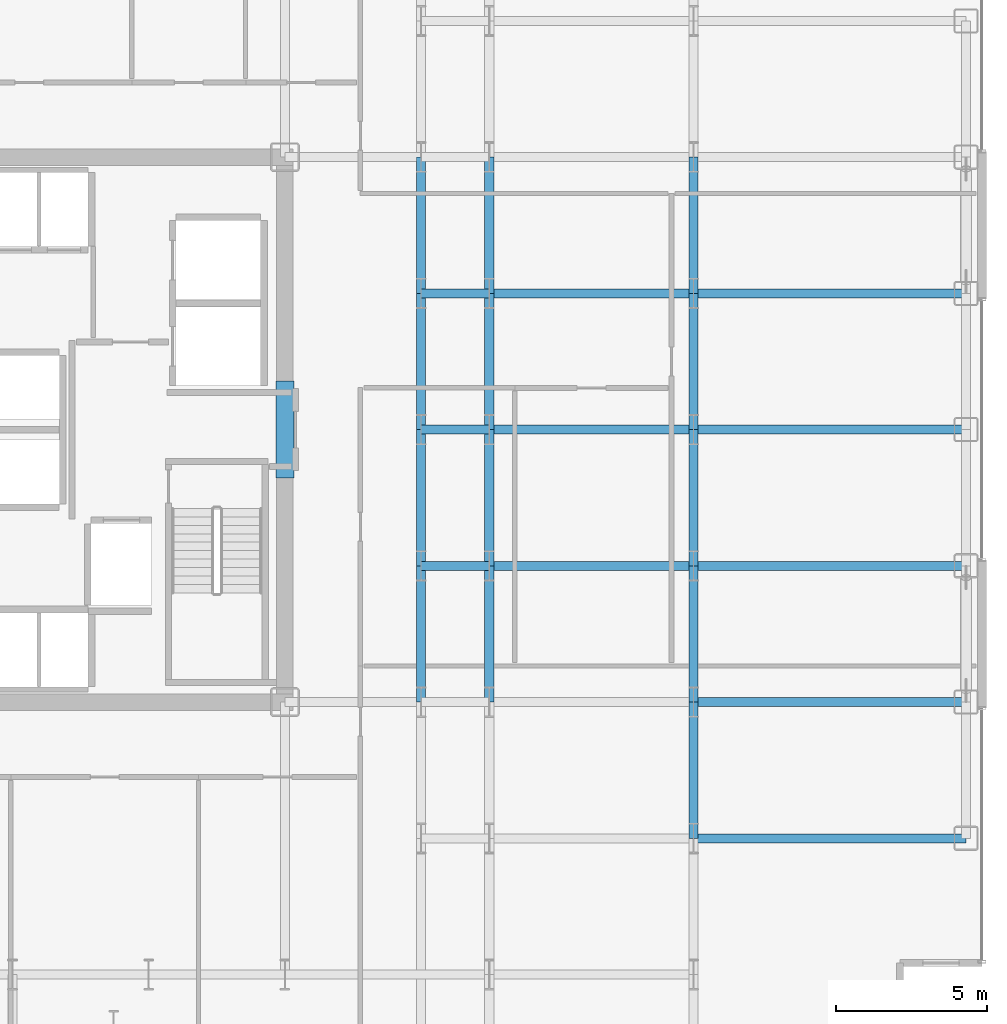
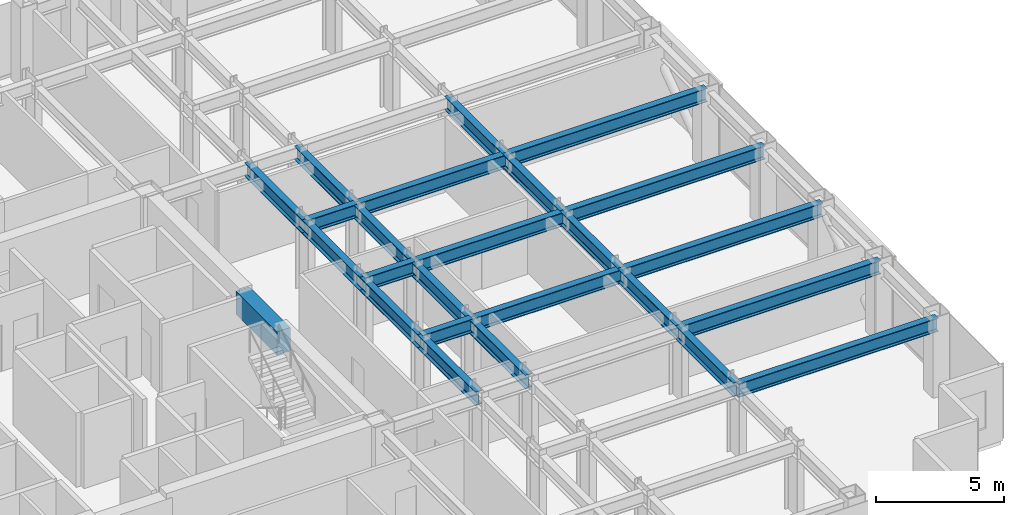
# One storey, part 10 of 29: 25 beams.
"""IFC4 building model written with IfcOpenShell, lengths in metres."""

from ifc_helpers import new_model, si_unit, direction, frame, origin, origin_2d, place, context, subcontext, project, spatial, rectangle, i_section, extrude, source, transform, mapped, material, material_profile, profile_set, type_object, element, save


model = new_model("IFC4")

# Units and contexts
model_context = context("Model", 3, precision=1e-05, world=origin(), true_north=direction((0.0, 1.0)))
body_context = subcontext(model_context, "Body", "Model", "MODEL_VIEW")
ifc_project = project(units=[si_unit("LENGTHUNIT", "METRE"), si_unit("AREAUNIT", "SQUARE_METRE"), si_unit("VOLUMEUNIT", "CUBIC_METRE"), si_unit("PLANEANGLEUNIT", "RADIAN"), si_unit("MASSUNIT", "GRAM", prefix="KILO")], contexts=[model_context])

# Site, building, storey
site_placement = place(None, origin())
site = spatial("IfcSite", under=ifc_project, at=site_placement, CompositionType="ELEMENT")
building_placement = place(site_placement, origin())
building = spatial("IfcBuilding", under=site, at=building_placement, Name="Nefas-Gora Pilgrimage Tower", CompositionType="ELEMENT")
storey_placement = place(building_placement, frame((0.0, 0.0, 113.60009765625)))
storey = spatial("IfcBuildingStorey", under=building, at=storey_placement, Name="L27", CompositionType="ELEMENT", Elevation=113.60009765625)

# Beams
ifc_material_1 = material(Name="Concrete C60/75", Category="concrete")
ifc_material_profile_1 = material_profile(ifc_material_1, rectangle(XDim=0.60009765625, YDim=1.10009765625, at=origin_2d()), Name="RC 600x1100")
ifc_profile_set_1 = profile_set([ifc_material_profile_1], Name="Concrete C60/75")
beam_type_1 = type_object("IfcBeamType", Name="BM-LIN-RC1100", PredefinedType="LINTEL", material=ifc_profile_set_1)
shared_shape_1 = source(origin(), body_context, "Body", "SweptSolid", [
    extrude(rectangle(XDim=0.60009765625, YDim=1.10009765625, at=origin_2d()), origin(), (0.0, 0.0, 1.0), 3.2001953125),
])
beam_placement = place(storey_placement, frame((11.25, -1.60009765625, 3.0), z_axis=(0.0, 1.0, 0.0), x_axis=(-1.0, 0.0, 0.0)))
element("IfcBeam", 1, at=beam_placement, inside=storey, type_object=beam_type_1, Name="L27 Core Coupling Lintel Beam E", PredefinedType="LINTEL", context=body_context, shape_type="MappedRepresentation", body=[
    mapped(shared_shape_1, transform((0.0, 0.0, 0.0), x_axis=(1.0, 0.0, 0.0), y_axis=(0.0, 1.0, 0.0), z_axis=(0.0, 0.0, 1.0), scale=1.0)),
])
ifc_material_2 = material(Name="Steel S355", Category="steel")
ifc_material_profile_2 = material_profile(ifc_material_2, i_section(OverallWidth=0.300048828125, OverallDepth=0.64990234375, WebThickness=0.01611328125, FlangeThickness=0.031005859375, FilletRadius=0.027099609375, at=origin_2d()), Name="HEB 650")
ifc_profile_set_2 = profile_set([ifc_material_profile_2], Name="Steel S355")
beam_type_2 = type_object("IfcBeamType", Name="BM-GIR-HEB650", PredefinedType="BEAM", material=ifc_profile_set_2)
shared_shape_2 = source(origin(), body_context, "Body", "SweptSolid", [
    extrude(i_section(OverallWidth=0.300048828125, OverallDepth=0.64990234375, WebThickness=0.01611328125, FlangeThickness=0.031005859375, FilletRadius=0.027099609375, at=origin_2d()), origin(), (0.0, 0.0, 1.0), 9.0),
])
for number, where, z_axis, x_axis, name in (
    (2, (24.75, -13.5, 3.224853515625), (1.0, 0.0, 0.0), (0.0, 1.0, 0.0), "L27 G-03 beam"),
    (3, (24.75, -9.0, 3.224853515625), (1.0, 0.0, 0.0), (0.0, 1.0, 0.0), "L27 G-03 beam"),
    (4, (24.75, -4.5, 3.224853515625), (1.0, 0.0, 0.0), (0.0, 1.0, 0.0), "L27 G-03 beam"),
    (5, (24.75, 0.0, 3.224853515625), (1.0, 0.0, 0.0), (0.0, 1.0, 0.0), "L27 G-03 beam"),
    (6, (24.75, 4.5, 3.224853515625), (1.0, 0.0, 0.0), (0.0, 1.0, 0.0), "L27 G-03 beam"),
):
    element("IfcBeam", number, at=place(storey_placement, frame(where, z_axis=z_axis, x_axis=x_axis)), inside=storey, type_object=beam_type_2, Name=name, PredefinedType="BEAM", context=body_context, shape_type="MappedRepresentation", body=[
        mapped(shared_shape_2, transform((0.0, 0.0, 0.0), x_axis=(1.0, 0.0, 0.0), y_axis=(0.0, 1.0, 0.0), z_axis=(0.0, 0.0, 1.0), scale=1.0)),
    ])
shared_shape_3 = source(origin(), body_context, "Body", "SweptSolid", [
    extrude(i_section(OverallWidth=0.300048828125, OverallDepth=0.64990234375, WebThickness=0.01611328125, FlangeThickness=0.031005859375, FilletRadius=0.027099609375, at=origin_2d()), origin(), (0.0, 0.0, 1.0), 4.5),
])
for number, where, z_axis, x_axis, name in (
    (7, (15.75, -9.0, 3.224853515625), (0.0, 1.0, 0.0), (-1.0, 0.0, 0.0), "L27 G-03 beam"),
    (8, (15.75, -4.5, 3.224853515625), (0.0, 1.0, 0.0), (-1.0, 0.0, 0.0), "L27 G-03 beam"),
    (9, (15.75, 0.0, 3.224853515625), (0.0, 1.0, 0.0), (-1.0, 0.0, 0.0), "L27 G-03 beam"),
    (10, (15.75, 4.5, 3.224853515625), (0.0, 1.0, 0.0), (-1.0, 0.0, 0.0), "L27 G-03 beam"),
    (11, (18.0, -9.0, 3.224853515625), (0.0, 1.0, 0.0), (-1.0, 0.0, 0.0), "L27 G-03 beam"),
    (12, (18.0, -4.5, 3.224853515625), (0.0, 1.0, 0.0), (-1.0, 0.0, 0.0), "L27 G-03 beam"),
    (13, (18.0, 0.0, 3.224853515625), (0.0, 1.0, 0.0), (-1.0, 0.0, 0.0), "L27 G-03 beam"),
    (14, (18.0, 4.5, 3.224853515625), (0.0, 1.0, 0.0), (-1.0, 0.0, 0.0), "L27 G-03 beam"),
    (15, (24.75, -13.5, 3.224853515625), (0.0, 1.0, 0.0), (-1.0, 0.0, 0.0), "L27 G-03 beam"),
    (16, (24.75, -9.0, 3.224853515625), (0.0, 1.0, 0.0), (-1.0, 0.0, 0.0), "L27 G-03 beam"),
    (17, (24.75, -4.5, 3.224853515625), (0.0, 1.0, 0.0), (-1.0, 0.0, 0.0), "L27 G-03 beam"),
    (18, (24.75, 0.0, 3.224853515625), (0.0, 1.0, 0.0), (-1.0, 0.0, 0.0), "L27 G-03 beam"),
    (19, (24.75, 4.5, 3.224853515625), (0.0, 1.0, 0.0), (-1.0, 0.0, 0.0), "L27 G-03 beam"),
):
    element("IfcBeam", number, at=place(storey_placement, frame(where, z_axis=z_axis, x_axis=x_axis)), inside=storey, type_object=beam_type_2, Name=name, PredefinedType="BEAM", context=body_context, shape_type="MappedRepresentation", body=[
        mapped(shared_shape_3, transform((0.0, 0.0, 0.0), x_axis=(1.0, 0.0, 0.0), y_axis=(0.0, 1.0, 0.0), z_axis=(0.0, 0.0, 1.0), scale=1.0)),
    ])
shared_shape_4 = source(origin(), body_context, "Body", "SweptSolid", [
    extrude(i_section(OverallWidth=0.300048828125, OverallDepth=0.64990234375, WebThickness=0.01611328125, FlangeThickness=0.031005859375, FilletRadius=0.027099609375, at=origin_2d()), origin(), (0.0, 0.0, 1.0), 6.75),
])
for number, where, z_axis, x_axis, name in (
    (20, (18.0, -4.5, 3.224853515625), (1.0, 0.0, 0.0), (0.0, 1.0, 0.0), "L27 G-03 beam"),
    (21, (18.0, 0.0, 3.224853515625), (1.0, 0.0, 0.0), (0.0, 1.0, 0.0), "L27 G-03 beam"),
    (22, (18.0, 4.5, 3.224853515625), (1.0, 0.0, 0.0), (0.0, 1.0, 0.0), "L27 G-03 beam"),
):
    element("IfcBeam", number, at=place(storey_placement, frame(where, z_axis=z_axis, x_axis=x_axis)), inside=storey, type_object=beam_type_2, Name=name, PredefinedType="BEAM", context=body_context, shape_type="MappedRepresentation", body=[
        mapped(shared_shape_4, transform((0.0, 0.0, 0.0), x_axis=(1.0, 0.0, 0.0), y_axis=(0.0, 1.0, 0.0), z_axis=(0.0, 0.0, 1.0), scale=1.0)),
    ])
shared_shape_5 = source(origin(), body_context, "Body", "SweptSolid", [
    extrude(i_section(OverallWidth=0.300048828125, OverallDepth=0.64990234375, WebThickness=0.01611328125, FlangeThickness=0.031005859375, FilletRadius=0.027099609375, at=origin_2d()), origin(), (0.0, 0.0, 1.0), 2.25),
])
for number, where, z_axis, x_axis, name in (
    (23, (15.75, -4.5, 3.224853515625), (1.0, 0.0, 0.0), (0.0, 1.0, 0.0), "L27 G-03 beam"),
    (24, (15.75, 0.0, 3.224853515625), (1.0, 0.0, 0.0), (0.0, 1.0, 0.0), "L27 G-03 beam"),
    (25, (15.75, 4.5, 3.224853515625), (1.0, 0.0, 0.0), (0.0, 1.0, 0.0), "L27 G-03 beam"),
):
    element("IfcBeam", number, at=place(storey_placement, frame(where, z_axis=z_axis, x_axis=x_axis)), inside=storey, type_object=beam_type_2, Name=name, PredefinedType="BEAM", context=body_context, shape_type="MappedRepresentation", body=[
        mapped(shared_shape_5, transform((0.0, 0.0, 0.0), x_axis=(1.0, 0.0, 0.0), y_axis=(0.0, 1.0, 0.0), z_axis=(0.0, 0.0, 1.0), scale=1.0)),
    ])

save(model, "model.ifc")
